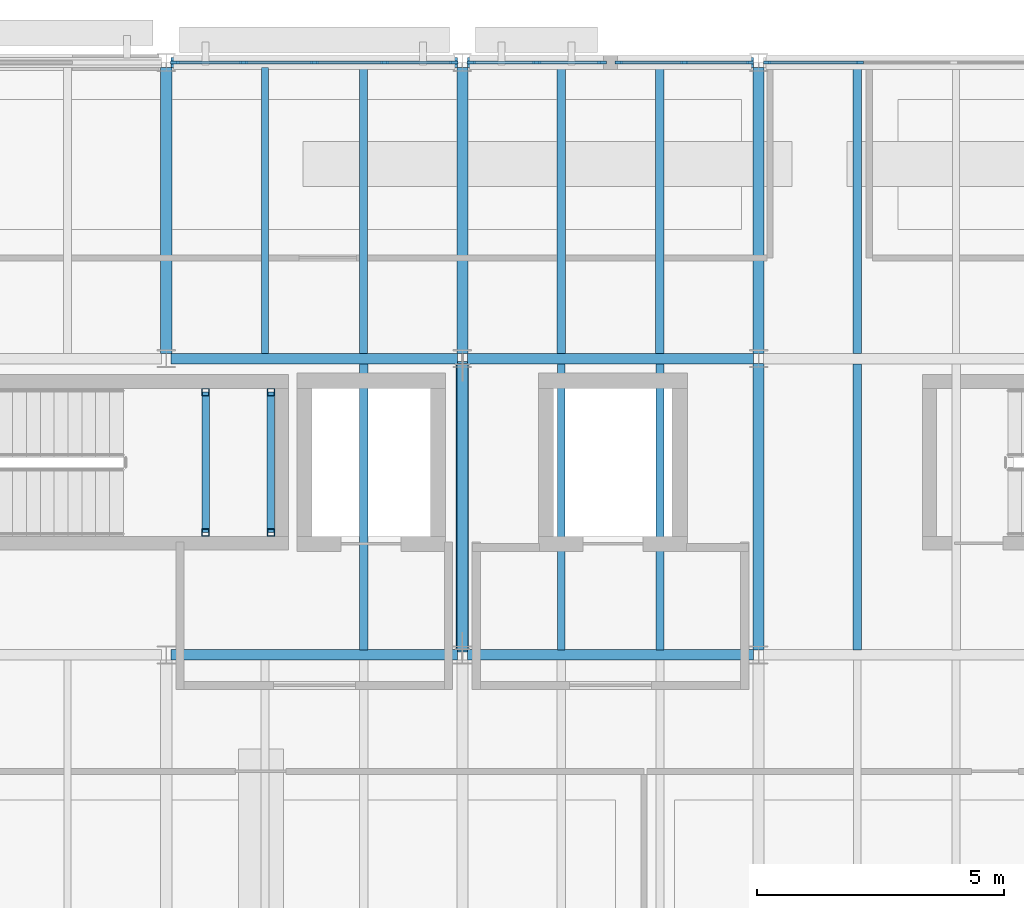
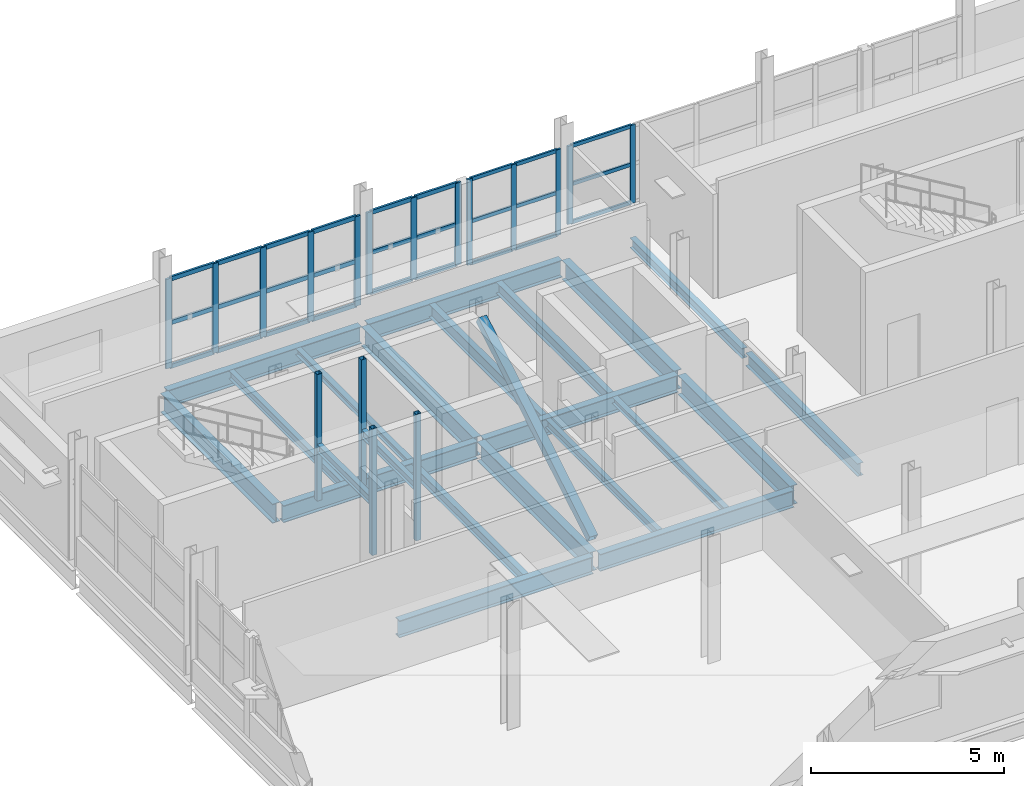
# One storey, part 42 of 92: 45 members, 22 beams, 4 elements without a shape of their own.
"""IFC4 building model written with IfcOpenShell, lengths in metres."""

from ifc_helpers import new_model, si_unit, direction, frame, origin, origin_2d, place, context, subcontext, project, spatial, rectangle, hollow_rectangle, i_section, extrude, material, material_profile, profile_set, type_object, element, aggregate, save


model = new_model("IFC4")

# Units and contexts
model_context = context("Model", 3, precision=1e-05, world=origin(), true_north=direction((0.0, 1.0)))
body_context = subcontext(model_context, "Body", "Model", "MODEL_VIEW")
ifc_project = project(units=[si_unit("LENGTHUNIT", "METRE"), si_unit("AREAUNIT", "SQUARE_METRE"), si_unit("VOLUMEUNIT", "CUBIC_METRE"), si_unit("PLANEANGLEUNIT", "RADIAN"), si_unit("MASSUNIT", "GRAM", prefix="KILO")], contexts=[model_context])

# Site, building, storey
site_placement = place(None, origin())
site = spatial("IfcSite", under=ifc_project, at=site_placement, CompositionType="ELEMENT")
building_placement = place(site_placement, origin())
building = spatial("IfcBuilding", under=site, at=building_placement, Name="Siltcreek Boulevard Central Fire Station", CompositionType="ELEMENT")
storey_placement = place(building_placement, frame((0.0, 0.0, 6.0)))
storey = spatial("IfcBuildingStorey", under=building, at=storey_placement, Name="L02", CompositionType="ELEMENT", Elevation=6.0)

# Beams
ifc_material_1 = material(Name="Structural steel ASTM A992 Gr50", Category="steel")
ifc_material_profile_1 = material_profile(ifc_material_1, i_section(OverallWidth=0.2109375, OverallDepth=0.5390625, WebThickness=0.01171875, FlangeThickness=0.018798828125, at=origin_2d()), Name="W530X109")
ifc_profile_set_1 = profile_set([ifc_material_profile_1], Name="Structural steel ASTM A992 Gr50")
beam_type_1 = type_object("IfcBeamType", Name="BM_W530X109", PredefinedType="BEAM", material=ifc_profile_set_1)
for number, where, z_axis, x_axis, name in (
    (1, (130.300048828125, 100.199951171875, -0.589599609375), (1.0, 0.0, 0.0), (0.0, 1.0, 0.0), "L02 primary steel girder GX-0184"),
    (2, (136.300048828125, 100.199951171875, -0.589599609375), (1.0, 0.0, 0.0), (0.0, 1.0, 0.0), "L02 primary steel girder GX-0185"),
    (3, (130.300048828125, 106.199951171875, -0.589599609375), (1.0, 0.0, 0.0), (0.0, 1.0, 0.0), "L02 primary steel girder GX-0191"),
    (4, (136.300048828125, 106.199951171875, -0.589599609375), (1.0, 0.0, 0.0), (0.0, 1.0, 0.0), "L02 primary steel girder GX-0192"),
    (5, (130.300048828125, 112.199951171875, -0.589599609375), (1.0, 0.0, 0.0), (0.0, 1.0, 0.0), "L02 primary steel girder GX-0198"),
    (6, (136.300048828125, 112.199951171875, -0.589599609375), (1.0, 0.0, 0.0), (0.0, 1.0, 0.0), "L02 primary steel girder GX-0199"),
):
    element("IfcBeam", number, at=place(storey_placement, frame(where, z_axis=z_axis, x_axis=x_axis)), inside=storey, type_object=beam_type_1, Name=name, PredefinedType="BEAM", context=body_context, shape_type="SweptSolid", body=[
        extrude(i_section(OverallWidth=0.2109375, OverallDepth=0.5390625, WebThickness=0.01171875, FlangeThickness=0.018798828125, at=origin_2d()), origin(), (0.0, 0.0, 1.0), 5.800048828125),
    ])
ifc_material_profile_2 = material_profile(ifc_material_1, i_section(OverallWidth=0.22802734375, OverallDepth=0.60791015625, WebThickness=0.01123046875, FlangeThickness=0.017333984375, at=origin_2d()), Name="W610X113")
ifc_profile_set_2 = profile_set([ifc_material_profile_2], Name="Structural steel ASTM A992 Gr50")
beam_type_2 = type_object("IfcBeamType", Name="BM_W610X113", PredefinedType="BEAM", material=ifc_profile_set_2)
for number, where, z_axis, x_axis, name in (
    (7, (130.199951171875, 106.300048828125, -0.6240234375), (0.0, 1.0, 0.0), (-1.0, 0.0, 0.0), "L02 primary steel girder GY-0210"),
    (8, (136.199951171875, 100.300048828125, -0.6240234375), (0.0, 1.0, 0.0), (-1.0, 0.0, 0.0), "L02 primary steel girder GY-0213"),
    (9, (136.199951171875, 106.300048828125, -0.6240234375), (0.0, 1.0, 0.0), (-1.0, 0.0, 0.0), "L02 primary steel girder GY-0214"),
    (10, (142.199951171875, 100.300048828125, -0.6240234375), (0.0, 1.0, 0.0), (-1.0, 0.0, 0.0), "L02 primary steel girder GY-0217"),
    (11, (142.199951171875, 106.300048828125, -0.6240234375), (0.0, 1.0, 0.0), (-1.0, 0.0, 0.0), "L02 primary steel girder GY-0218"),
):
    element("IfcBeam", number, at=place(storey_placement, frame(where, z_axis=z_axis, x_axis=x_axis)), inside=storey, type_object=beam_type_2, Name=name, PredefinedType="BEAM", context=body_context, shape_type="SweptSolid", body=[
        extrude(i_section(OverallWidth=0.22802734375, OverallDepth=0.60791015625, WebThickness=0.01123046875, FlangeThickness=0.017333984375, at=origin_2d()), origin(), (0.0, 0.0, 1.0), 5.800048828125),
    ])

# Members
ifc_material_2 = material(Name="Structural steel ASTM A500 GrC", Category="steel")
ifc_material_profile_3 = material_profile(ifc_material_2, hollow_rectangle(XDim=0.14990234375, YDim=0.14990234375, WallThickness=0.008056640625, at=origin_2d()), Name="HSS150X150X8.0")
ifc_profile_set_3 = profile_set([ifc_material_profile_3], Name="Structural steel ASTM A500 GrC")
member_type_1 = type_object("IfcMemberType", Name="BR_HSS150_8", PredefinedType="BRACE", material=ifc_profile_set_3)
for number, where, z_axis, x_axis, name in (
    (12, (131.0, 102.679931640625, 0.0), (0.0, 0.0, 1.0), (1.0, 0.0, 0.0), "L02 ST-V5A stair landing corner post SW"),
    (13, (131.0, 105.52001953125, 0.0), (0.0, 0.0, 1.0), (1.0, 0.0, 0.0), "L02 ST-V5A stair landing corner post NW"),
    (14, (132.320068359375, 102.679931640625, 0.0), (0.0, 0.0, 1.0), (1.0, 0.0, 0.0), "L02 ST-V5A stair landing corner post SE"),
    (15, (132.320068359375, 105.52001953125, 0.0), (0.0, 0.0, 1.0), (1.0, 0.0, 0.0), "L02 ST-V5A stair landing corner post NE"),
):
    element("IfcMember", number, at=place(storey_placement, frame(where, z_axis=z_axis, x_axis=x_axis)), inside=storey, type_object=member_type_1, Name=name, PredefinedType="BRACE", context=body_context, shape_type="SweptSolid", body=[
        extrude(hollow_rectangle(XDim=0.14990234375, YDim=0.14990234375, WallThickness=0.008056640625, at=origin_2d()), origin(), (0.0, 0.0, 1.0), 4.0),
    ])
ifc_material_profile_4 = material_profile(ifc_material_2, hollow_rectangle(XDim=0.25, YDim=0.25, WallThickness=0.009521484375, at=origin_2d()), Name="HSS250X250X9.5")
ifc_profile_set_4 = profile_set([ifc_material_profile_4], Name="Structural steel ASTM A500 GrC")
member_type_2 = type_object("IfcMemberType", Name="BR_HSS250_9", PredefinedType="BRACE", material=ifc_profile_set_4)
member_1_placement = place(storey_placement, frame((136.199951171875, 100.320068359375, 0.10009765625), z_axis=(0.0, 0.857890513261, 0.513832528415), x_axis=(-1.0, 0.0, 0.0)))
element("IfcMember", 16, at=member_1_placement, inside=storey, type_object=member_type_2, Name="L02 buckling-restrained brace BR-033", PredefinedType="BRACE", context=body_context, shape_type="SweptSolid", body=[
    extrude(hollow_rectangle(XDim=0.25, YDim=0.25, WallThickness=0.009521484375, at=origin_2d()), origin(), (0.0, 0.0, 1.0), 6.714111328125),
])

# Curtain wall, members
ifc_material_3 = material(Name="Anodized aluminum and low-E insulated glazing", Category="aluminium")
curtain_wall_type_1 = type_object("IfcCurtainWallType", Name="CW_SYS_14", PredefinedType="USERDEFINED", material=ifc_material_3)
curtain_wall_1_placement = place(storey_placement, origin())
curtain_wall_1 = element("IfcCurtainWall", 17, at=curtain_wall_1_placement, inside=storey, type_object=curtain_wall_type_1, Name="L02 V5 unitised curtain wall CW-133", ObjectType="CURTAIN WALL", PredefinedType="USERDEFINED")
ifc_material_4 = material(Name="Anodized 6063-T6 aluminum framing", Category="aluminium")
ifc_material_profile_5 = material_profile(ifc_material_4, rectangle(XDim=0.06005859375, YDim=0.14990234375, at=origin_2d()), Name="MULL60X150")
ifc_profile_set_5 = profile_set([ifc_material_profile_5], Name="Anodized 6063-T6 aluminum framing")
member_type_3 = type_object("IfcMemberType", Name="CWM_60X150", PredefinedType="MULLION", material=ifc_profile_set_5)
member_2_placement = place(storey_placement, frame((142.02490234375, 112.199951171875, 0.43994140625), z_axis=(0.0, 0.0, 1.0), x_axis=(0.0, -1.0, 0.0)))
member_2 = element("IfcMember", 18, at=member_2_placement, type_object=member_type_3, Name="CW-133 mullion 1", PredefinedType="MULLION", context=body_context, shape_type="SweptSolid", body=[
    extrude(rectangle(XDim=0.06005859375, YDim=0.14990234375, at=origin_2d()), origin(), (0.0, 0.0, 1.0), 2.713134765625),
])
member_3_placement = place(storey_placement, frame((140.697509765625, 112.199951171875, 0.43994140625), z_axis=(0.0, 0.0, 1.0), x_axis=(0.0, -1.0, 0.0)))
member_3 = element("IfcMember", 19, at=member_3_placement, type_object=member_type_3, Name="CW-133 mullion 2", PredefinedType="MULLION", context=body_context, shape_type="SweptSolid", body=[
    extrude(rectangle(XDim=0.06005859375, YDim=0.14990234375, at=origin_2d()), origin(), (0.0, 0.0, 1.0), 2.713134765625),
])
member_4_placement = place(storey_placement, frame((139.3701171875, 112.199951171875, 0.43994140625), z_axis=(0.0, 0.0, 1.0), x_axis=(0.0, -1.0, 0.0)))
member_4 = element("IfcMember", 20, at=member_4_placement, type_object=member_type_3, Name="CW-133 mullion 3", PredefinedType="MULLION", context=body_context, shape_type="SweptSolid", body=[
    extrude(rectangle(XDim=0.06005859375, YDim=0.14990234375, at=origin_2d()), origin(), (0.0, 0.0, 1.0), 2.713134765625),
])

curtain_wall_type_2 = type_object("IfcCurtainWallType", Name="CW_SYS_16", PredefinedType="USERDEFINED", material=ifc_material_3)
curtain_wall_2_placement = place(storey_placement, origin())
curtain_wall_2 = element("IfcCurtainWall", 21, at=curtain_wall_2_placement, inside=storey, type_object=curtain_wall_type_2, Name="L02 V5 unitised curtain wall CW-135", ObjectType="CURTAIN WALL", PredefinedType="USERDEFINED")
member_5_placement = place(storey_placement, frame((144.248291015625, 112.199951171875, 0.679931640625), z_axis=(0.0, 0.0, 1.0), x_axis=(0.0, -1.0, 0.0)))
member_5 = element("IfcMember", 22, at=member_5_placement, type_object=member_type_3, Name="CW-135 mullion 3", PredefinedType="MULLION", context=body_context, shape_type="SweptSolid", body=[
    extrude(rectangle(XDim=0.06005859375, YDim=0.14990234375, at=origin_2d()), origin(), (0.0, 0.0, 1.0), 2.47314453125),
])
member_6_placement = place(storey_placement, frame((142.375, 112.199951171875, 0.679931640625), z_axis=(0.0, 0.0, 1.0), x_axis=(0.0, -1.0, 0.0)))
member_6 = element("IfcMember", 23, at=member_6_placement, type_object=member_type_3, Name="CW-135 mullion 4", PredefinedType="MULLION", context=body_context, shape_type="SweptSolid", body=[
    extrude(rectangle(XDim=0.06005859375, YDim=0.14990234375, at=origin_2d()), origin(), (0.0, 0.0, 1.0), 2.47314453125),
])

curtain_wall_type_3 = type_object("IfcCurtainWallType", Name="CW_SYS_13", PredefinedType="USERDEFINED", material=ifc_material_3)
curtain_wall_3_placement = place(storey_placement, origin())
curtain_wall_3 = element("IfcCurtainWall", 24, at=curtain_wall_3_placement, inside=storey, type_object=curtain_wall_type_3, Name="L02 V5 unitised curtain wall CW-132", ObjectType="CURTAIN WALL", PredefinedType="USERDEFINED")
ifc_material_profile_6 = material_profile(ifc_material_4, rectangle(XDim=0.06494140625, YDim=0.175048828125, at=origin_2d()), Name="MULL65X175")
ifc_profile_set_6 = profile_set([ifc_material_profile_6], Name="Anodized 6063-T6 aluminum framing")
member_type_4 = type_object("IfcMemberType", Name="CWM_65X175", PredefinedType="MULLION", material=ifc_profile_set_6)
member_7_placement = place(storey_placement, frame((136.0224609375, 112.199951171875, 0.320068359375), z_axis=(0.0, 0.0, 1.0), x_axis=(0.0, -1.0, 0.0)))
member_7 = element("IfcMember", 25, at=member_7_placement, type_object=member_type_4, Name="CW-132 mullion 1", PredefinedType="MULLION", context=body_context, shape_type="SweptSolid", body=[
    extrude(rectangle(XDim=0.06494140625, YDim=0.175048828125, at=origin_2d()), origin(), (0.0, 0.0, 1.0), 2.8330078125),
])
member_8_placement = place(storey_placement, frame((134.62744140625, 112.199951171875, 0.320068359375), z_axis=(0.0, 0.0, 1.0), x_axis=(0.0, -1.0, 0.0)))
member_8 = element("IfcMember", 26, at=member_8_placement, type_object=member_type_4, Name="CW-132 mullion 2", PredefinedType="MULLION", context=body_context, shape_type="SweptSolid", body=[
    extrude(rectangle(XDim=0.06494140625, YDim=0.175048828125, at=origin_2d()), origin(), (0.0, 0.0, 1.0), 2.8330078125),
])
member_9_placement = place(storey_placement, frame((133.199951171875, 112.199951171875, 0.320068359375), z_axis=(0.0, 0.0, 1.0), x_axis=(0.0, -1.0, 0.0)))
member_9 = element("IfcMember", 27, at=member_9_placement, type_object=member_type_4, Name="CW-132 mullion 3", PredefinedType="MULLION", context=body_context, shape_type="SweptSolid", body=[
    extrude(rectangle(XDim=0.06494140625, YDim=0.175048828125, at=origin_2d()), origin(), (0.0, 0.0, 1.0), 2.8330078125),
])
member_10_placement = place(storey_placement, frame((131.7724609375, 112.199951171875, 0.320068359375), z_axis=(0.0, 0.0, 1.0), x_axis=(0.0, -1.0, 0.0)))
member_10 = element("IfcMember", 28, at=member_10_placement, type_object=member_type_4, Name="CW-132 mullion 4", PredefinedType="MULLION", context=body_context, shape_type="SweptSolid", body=[
    extrude(rectangle(XDim=0.06494140625, YDim=0.175048828125, at=origin_2d()), origin(), (0.0, 0.0, 1.0), 2.8330078125),
])
member_11_placement = place(storey_placement, frame((130.37744140625, 112.199951171875, 0.320068359375), z_axis=(0.0, 0.0, 1.0), x_axis=(0.0, -1.0, 0.0)))
member_11 = element("IfcMember", 29, at=member_11_placement, type_object=member_type_4, Name="CW-132 mullion 5", PredefinedType="MULLION", context=body_context, shape_type="SweptSolid", body=[
    extrude(rectangle(XDim=0.06494140625, YDim=0.175048828125, at=origin_2d()), origin(), (0.0, 0.0, 1.0), 2.8330078125),
])

curtain_wall_type_4 = type_object("IfcCurtainWallType", Name="CW_SYS_15", PredefinedType="USERDEFINED", material=ifc_material_3)
curtain_wall_4_placement = place(storey_placement, origin())
curtain_wall_4 = element("IfcCurtainWall", 30, at=curtain_wall_4_placement, inside=storey, type_object=curtain_wall_type_4, Name="L02 V5 unitised curtain wall CW-134", ObjectType="CURTAIN WALL", PredefinedType="USERDEFINED")
member_12_placement = place(storey_placement, frame((139.027587890625, 112.199951171875, 0.56005859375), z_axis=(0.0, 0.0, 1.0), x_axis=(0.0, -1.0, 0.0)))
member_12 = element("IfcMember", 31, at=member_12_placement, type_object=member_type_4, Name="CW-134 mullion 1", PredefinedType="MULLION", context=body_context, shape_type="SweptSolid", body=[
    extrude(rectangle(XDim=0.06494140625, YDim=0.175048828125, at=origin_2d()), origin(), (0.0, 0.0, 1.0), 2.593017578125),
])
member_13_placement = place(storey_placement, frame((137.702392578125, 112.199951171875, 0.56005859375), z_axis=(0.0, 0.0, 1.0), x_axis=(0.0, -1.0, 0.0)))
member_13 = element("IfcMember", 32, at=member_13_placement, type_object=member_type_4, Name="CW-134 mullion 2", PredefinedType="MULLION", context=body_context, shape_type="SweptSolid", body=[
    extrude(rectangle(XDim=0.06494140625, YDim=0.175048828125, at=origin_2d()), origin(), (0.0, 0.0, 1.0), 2.593017578125),
])
member_14_placement = place(storey_placement, frame((136.37744140625, 112.199951171875, 0.56005859375), z_axis=(0.0, 0.0, 1.0), x_axis=(0.0, -1.0, 0.0)))
member_14 = element("IfcMember", 33, at=member_14_placement, type_object=member_type_4, Name="CW-134 mullion 3", PredefinedType="MULLION", context=body_context, shape_type="SweptSolid", body=[
    extrude(rectangle(XDim=0.06494140625, YDim=0.175048828125, at=origin_2d()), origin(), (0.0, 0.0, 1.0), 2.593017578125),
])

# Member
ifc_material_profile_7 = material_profile(ifc_material_4, rectangle(XDim=0.06005859375, YDim=0.114990234375, at=origin_2d()), Name="TRAN60X115")
ifc_profile_set_7 = profile_set([ifc_material_profile_7], Name="Anodized 6063-T6 aluminum framing")
member_type_5 = type_object("IfcMemberType", Name="CWT_60X115", PredefinedType="USERDEFINED", material=ifc_profile_set_7)
member_15_placement = place(storey_placement, frame((141.9951171875, 112.199951171875, 0.469970703125), z_axis=(-1.0, 0.0, 0.0), x_axis=(0.0, -1.0, 0.0)))
member_15 = element("IfcMember", 34, at=member_15_placement, type_object=member_type_5, Name="CW-133 transom 1.1", ObjectType="TRANSOM", PredefinedType="USERDEFINED", context=body_context, shape_type="SweptSolid", body=[
    extrude(rectangle(XDim=0.06005859375, YDim=0.114990234375, at=origin_2d()), origin(), (0.0, 0.0, 1.0), 1.267578125),
])

member_16_placement = place(storey_placement, frame((141.9951171875, 112.199951171875, 1.79638671875), z_axis=(-1.0, 0.0, 0.0), x_axis=(0.0, -1.0, 0.0)))
member_16 = element("IfcMember", 35, at=member_16_placement, type_object=member_type_5, Name="CW-133 transom 1.2", ObjectType="TRANSOM", PredefinedType="USERDEFINED", context=body_context, shape_type="SweptSolid", body=[
    extrude(rectangle(XDim=0.06005859375, YDim=0.114990234375, at=origin_2d()), origin(), (0.0, 0.0, 1.0), 1.267578125),
])

member_17_placement = place(storey_placement, frame((141.9951171875, 112.199951171875, 3.123046875), z_axis=(-1.0, 0.0, 0.0), x_axis=(0.0, -1.0, 0.0)))
member_17 = element("IfcMember", 36, at=member_17_placement, type_object=member_type_5, Name="CW-133 transom 1.3", ObjectType="TRANSOM", PredefinedType="USERDEFINED", context=body_context, shape_type="SweptSolid", body=[
    extrude(rectangle(XDim=0.06005859375, YDim=0.114990234375, at=origin_2d()), origin(), (0.0, 0.0, 1.0), 1.267578125),
])

member_18_placement = place(storey_placement, frame((140.66748046875, 112.199951171875, 0.469970703125), z_axis=(-1.0, 0.0, 0.0), x_axis=(0.0, -1.0, 0.0)))
member_18 = element("IfcMember", 37, at=member_18_placement, type_object=member_type_5, Name="CW-133 transom 2.1", ObjectType="TRANSOM", PredefinedType="USERDEFINED", context=body_context, shape_type="SweptSolid", body=[
    extrude(rectangle(XDim=0.06005859375, YDim=0.114990234375, at=origin_2d()), origin(), (0.0, 0.0, 1.0), 1.267578125),
])

member_19_placement = place(storey_placement, frame((140.66748046875, 112.199951171875, 1.79638671875), z_axis=(-1.0, 0.0, 0.0), x_axis=(0.0, -1.0, 0.0)))
member_19 = element("IfcMember", 38, at=member_19_placement, type_object=member_type_5, Name="CW-133 transom 2.2", ObjectType="TRANSOM", PredefinedType="USERDEFINED", context=body_context, shape_type="SweptSolid", body=[
    extrude(rectangle(XDim=0.06005859375, YDim=0.114990234375, at=origin_2d()), origin(), (0.0, 0.0, 1.0), 1.267578125),
])

member_20_placement = place(storey_placement, frame((140.66748046875, 112.199951171875, 3.123046875), z_axis=(-1.0, 0.0, 0.0), x_axis=(0.0, -1.0, 0.0)))
member_20 = element("IfcMember", 39, at=member_20_placement, type_object=member_type_5, Name="CW-133 transom 2.3", ObjectType="TRANSOM", PredefinedType="USERDEFINED", context=body_context, shape_type="SweptSolid", body=[
    extrude(rectangle(XDim=0.06005859375, YDim=0.114990234375, at=origin_2d()), origin(), (0.0, 0.0, 1.0), 1.267578125),
])

aggregate(curtain_wall_1, [member_2, member_3, member_4, member_15, member_16, member_17, member_18, member_19, member_20])

member_21_placement = place(storey_placement, frame((144.21826171875, 112.199951171875, 0.7099609375), z_axis=(-1.0, 0.0, 0.0), x_axis=(0.0, -1.0, 0.0)))
member_21 = element("IfcMember", 40, at=member_21_placement, type_object=member_type_5, Name="CW-135 transom 3.1", ObjectType="TRANSOM", PredefinedType="USERDEFINED", context=body_context, shape_type="SweptSolid", body=[
    extrude(rectangle(XDim=0.06005859375, YDim=0.114990234375, at=origin_2d()), origin(), (0.0, 0.0, 1.0), 1.813232421875),
])

member_22_placement = place(storey_placement, frame((144.21826171875, 112.199951171875, 1.91650390625), z_axis=(-1.0, 0.0, 0.0), x_axis=(0.0, -1.0, 0.0)))
member_22 = element("IfcMember", 41, at=member_22_placement, type_object=member_type_5, Name="CW-135 transom 3.2", ObjectType="TRANSOM", PredefinedType="USERDEFINED", context=body_context, shape_type="SweptSolid", body=[
    extrude(rectangle(XDim=0.06005859375, YDim=0.114990234375, at=origin_2d()), origin(), (0.0, 0.0, 1.0), 1.813232421875),
])

member_23_placement = place(storey_placement, frame((144.21826171875, 112.199951171875, 3.123046875), z_axis=(-1.0, 0.0, 0.0), x_axis=(0.0, -1.0, 0.0)))
member_23 = element("IfcMember", 42, at=member_23_placement, type_object=member_type_5, Name="CW-135 transom 3.3", ObjectType="TRANSOM", PredefinedType="USERDEFINED", context=body_context, shape_type="SweptSolid", body=[
    extrude(rectangle(XDim=0.06005859375, YDim=0.114990234375, at=origin_2d()), origin(), (0.0, 0.0, 1.0), 1.813232421875),
])

aggregate(curtain_wall_2, [member_5, member_6, member_21, member_22, member_23])

ifc_material_profile_8 = material_profile(ifc_material_4, rectangle(XDim=0.06494140625, YDim=0.135009765625, at=origin_2d()), Name="TRAN65X135")
ifc_profile_set_8 = profile_set([ifc_material_profile_8], Name="Anodized 6063-T6 aluminum framing")
member_type_6 = type_object("IfcMemberType", Name="CWT_65X135", PredefinedType="USERDEFINED", material=ifc_profile_set_8)
member_24_placement = place(storey_placement, frame((135.989990234375, 112.199951171875, 0.3525390625), z_axis=(-1.0, 0.0, 0.0), x_axis=(0.0, -1.0, 0.0)))
member_24 = element("IfcMember", 43, at=member_24_placement, type_object=member_type_6, Name="CW-132 transom 1.1", ObjectType="TRANSOM", PredefinedType="USERDEFINED", context=body_context, shape_type="SweptSolid", body=[
    extrude(rectangle(XDim=0.06494140625, YDim=0.135009765625, at=origin_2d()), origin(), (0.0, 0.0, 1.0), 1.330078125),
])

member_25_placement = place(storey_placement, frame((135.989990234375, 112.199951171875, 1.736572265625), z_axis=(-1.0, 0.0, 0.0), x_axis=(0.0, -1.0, 0.0)))
member_25 = element("IfcMember", 44, at=member_25_placement, type_object=member_type_6, Name="CW-132 transom 1.2", ObjectType="TRANSOM", PredefinedType="USERDEFINED", context=body_context, shape_type="SweptSolid", body=[
    extrude(rectangle(XDim=0.06494140625, YDim=0.135009765625, at=origin_2d()), origin(), (0.0, 0.0, 1.0), 1.330078125),
])

member_26_placement = place(storey_placement, frame((135.989990234375, 112.199951171875, 3.12060546875), z_axis=(-1.0, 0.0, 0.0), x_axis=(0.0, -1.0, 0.0)))
member_26 = element("IfcMember", 45, at=member_26_placement, type_object=member_type_6, Name="CW-132 transom 1.3", ObjectType="TRANSOM", PredefinedType="USERDEFINED", context=body_context, shape_type="SweptSolid", body=[
    extrude(rectangle(XDim=0.06494140625, YDim=0.135009765625, at=origin_2d()), origin(), (0.0, 0.0, 1.0), 1.330078125),
])

member_27_placement = place(storey_placement, frame((134.594970703125, 112.199951171875, 0.3525390625), z_axis=(-1.0, 0.0, 0.0), x_axis=(0.0, -1.0, 0.0)))
member_27 = element("IfcMember", 46, at=member_27_placement, type_object=member_type_6, Name="CW-132 transom 2.1", ObjectType="TRANSOM", PredefinedType="USERDEFINED", context=body_context, shape_type="SweptSolid", body=[
    extrude(rectangle(XDim=0.06494140625, YDim=0.135009765625, at=origin_2d()), origin(), (0.0, 0.0, 1.0), 1.362548828125),
])

member_28_placement = place(storey_placement, frame((134.594970703125, 112.199951171875, 1.736572265625), z_axis=(-1.0, 0.0, 0.0), x_axis=(0.0, -1.0, 0.0)))
member_28 = element("IfcMember", 47, at=member_28_placement, type_object=member_type_6, Name="CW-132 transom 2.2", ObjectType="TRANSOM", PredefinedType="USERDEFINED", context=body_context, shape_type="SweptSolid", body=[
    extrude(rectangle(XDim=0.06494140625, YDim=0.135009765625, at=origin_2d()), origin(), (0.0, 0.0, 1.0), 1.362548828125),
])

member_29_placement = place(storey_placement, frame((134.594970703125, 112.199951171875, 3.12060546875), z_axis=(-1.0, 0.0, 0.0), x_axis=(0.0, -1.0, 0.0)))
member_29 = element("IfcMember", 48, at=member_29_placement, type_object=member_type_6, Name="CW-132 transom 2.3", ObjectType="TRANSOM", PredefinedType="USERDEFINED", context=body_context, shape_type="SweptSolid", body=[
    extrude(rectangle(XDim=0.06494140625, YDim=0.135009765625, at=origin_2d()), origin(), (0.0, 0.0, 1.0), 1.362548828125),
])

member_30_placement = place(storey_placement, frame((133.16748046875, 112.199951171875, 0.3525390625), z_axis=(-1.0, 0.0, 0.0), x_axis=(0.0, -1.0, 0.0)))
member_30 = element("IfcMember", 49, at=member_30_placement, type_object=member_type_6, Name="CW-132 transom 3.1", ObjectType="TRANSOM", PredefinedType="USERDEFINED", context=body_context, shape_type="SweptSolid", body=[
    extrude(rectangle(XDim=0.06494140625, YDim=0.135009765625, at=origin_2d()), origin(), (0.0, 0.0, 1.0), 1.362548828125),
])

member_31_placement = place(storey_placement, frame((133.16748046875, 112.199951171875, 1.736572265625), z_axis=(-1.0, 0.0, 0.0), x_axis=(0.0, -1.0, 0.0)))
member_31 = element("IfcMember", 50, at=member_31_placement, type_object=member_type_6, Name="CW-132 transom 3.2", ObjectType="TRANSOM", PredefinedType="USERDEFINED", context=body_context, shape_type="SweptSolid", body=[
    extrude(rectangle(XDim=0.06494140625, YDim=0.135009765625, at=origin_2d()), origin(), (0.0, 0.0, 1.0), 1.362548828125),
])

member_32_placement = place(storey_placement, frame((133.16748046875, 112.199951171875, 3.12060546875), z_axis=(-1.0, 0.0, 0.0), x_axis=(0.0, -1.0, 0.0)))
member_32 = element("IfcMember", 51, at=member_32_placement, type_object=member_type_6, Name="CW-132 transom 3.3", ObjectType="TRANSOM", PredefinedType="USERDEFINED", context=body_context, shape_type="SweptSolid", body=[
    extrude(rectangle(XDim=0.06494140625, YDim=0.135009765625, at=origin_2d()), origin(), (0.0, 0.0, 1.0), 1.362548828125),
])

member_33_placement = place(storey_placement, frame((131.739990234375, 112.199951171875, 0.3525390625), z_axis=(-1.0, 0.0, 0.0), x_axis=(0.0, -1.0, 0.0)))
member_33 = element("IfcMember", 52, at=member_33_placement, type_object=member_type_6, Name="CW-132 transom 4.1", ObjectType="TRANSOM", PredefinedType="USERDEFINED", context=body_context, shape_type="SweptSolid", body=[
    extrude(rectangle(XDim=0.06494140625, YDim=0.135009765625, at=origin_2d()), origin(), (0.0, 0.0, 1.0), 1.330078125),
])

member_34_placement = place(storey_placement, frame((131.739990234375, 112.199951171875, 1.736572265625), z_axis=(-1.0, 0.0, 0.0), x_axis=(0.0, -1.0, 0.0)))
member_34 = element("IfcMember", 53, at=member_34_placement, type_object=member_type_6, Name="CW-132 transom 4.2", ObjectType="TRANSOM", PredefinedType="USERDEFINED", context=body_context, shape_type="SweptSolid", body=[
    extrude(rectangle(XDim=0.06494140625, YDim=0.135009765625, at=origin_2d()), origin(), (0.0, 0.0, 1.0), 1.330078125),
])

member_35_placement = place(storey_placement, frame((131.739990234375, 112.199951171875, 3.12060546875), z_axis=(-1.0, 0.0, 0.0), x_axis=(0.0, -1.0, 0.0)))
member_35 = element("IfcMember", 54, at=member_35_placement, type_object=member_type_6, Name="CW-132 transom 4.3", ObjectType="TRANSOM", PredefinedType="USERDEFINED", context=body_context, shape_type="SweptSolid", body=[
    extrude(rectangle(XDim=0.06494140625, YDim=0.135009765625, at=origin_2d()), origin(), (0.0, 0.0, 1.0), 1.330078125),
])

aggregate(curtain_wall_3, [member_7, member_8, member_9, member_10, member_11, member_24, member_25, member_26, member_27, member_28, member_29, member_30, member_31, member_32, member_33, member_34, member_35])

member_36_placement = place(storey_placement, frame((138.9951171875, 112.199951171875, 0.592529296875), z_axis=(-1.0, 0.0, 0.0), x_axis=(0.0, -1.0, 0.0)))
member_36 = element("IfcMember", 55, at=member_36_placement, type_object=member_type_6, Name="CW-134 transom 1.1", ObjectType="TRANSOM", PredefinedType="USERDEFINED", context=body_context, shape_type="SweptSolid", body=[
    extrude(rectangle(XDim=0.06494140625, YDim=0.135009765625, at=origin_2d()), origin(), (0.0, 0.0, 1.0), 1.260009765625),
])

member_37_placement = place(storey_placement, frame((138.9951171875, 112.199951171875, 1.8564453125), z_axis=(-1.0, 0.0, 0.0), x_axis=(0.0, -1.0, 0.0)))
member_37 = element("IfcMember", 56, at=member_37_placement, type_object=member_type_6, Name="CW-134 transom 1.2", ObjectType="TRANSOM", PredefinedType="USERDEFINED", context=body_context, shape_type="SweptSolid", body=[
    extrude(rectangle(XDim=0.06494140625, YDim=0.135009765625, at=origin_2d()), origin(), (0.0, 0.0, 1.0), 1.260009765625),
])

member_38_placement = place(storey_placement, frame((138.9951171875, 112.199951171875, 3.12060546875), z_axis=(-1.0, 0.0, 0.0), x_axis=(0.0, -1.0, 0.0)))
member_38 = element("IfcMember", 57, at=member_38_placement, type_object=member_type_6, Name="CW-134 transom 1.3", ObjectType="TRANSOM", PredefinedType="USERDEFINED", context=body_context, shape_type="SweptSolid", body=[
    extrude(rectangle(XDim=0.06494140625, YDim=0.135009765625, at=origin_2d()), origin(), (0.0, 0.0, 1.0), 1.260009765625),
])

member_39_placement = place(storey_placement, frame((137.669921875, 112.199951171875, 0.592529296875), z_axis=(-1.0, 0.0, 0.0), x_axis=(0.0, -1.0, 0.0)))
member_39 = element("IfcMember", 58, at=member_39_placement, type_object=member_type_6, Name="CW-134 transom 2.1", ObjectType="TRANSOM", PredefinedType="USERDEFINED", context=body_context, shape_type="SweptSolid", body=[
    extrude(rectangle(XDim=0.06494140625, YDim=0.135009765625, at=origin_2d()), origin(), (0.0, 0.0, 1.0), 1.260009765625),
])

member_40_placement = place(storey_placement, frame((137.669921875, 112.199951171875, 1.8564453125), z_axis=(-1.0, 0.0, 0.0), x_axis=(0.0, -1.0, 0.0)))
member_40 = element("IfcMember", 59, at=member_40_placement, type_object=member_type_6, Name="CW-134 transom 2.2", ObjectType="TRANSOM", PredefinedType="USERDEFINED", context=body_context, shape_type="SweptSolid", body=[
    extrude(rectangle(XDim=0.06494140625, YDim=0.135009765625, at=origin_2d()), origin(), (0.0, 0.0, 1.0), 1.260009765625),
])

member_41_placement = place(storey_placement, frame((137.669921875, 112.199951171875, 3.12060546875), z_axis=(-1.0, 0.0, 0.0), x_axis=(0.0, -1.0, 0.0)))
member_41 = element("IfcMember", 60, at=member_41_placement, type_object=member_type_6, Name="CW-134 transom 2.3", ObjectType="TRANSOM", PredefinedType="USERDEFINED", context=body_context, shape_type="SweptSolid", body=[
    extrude(rectangle(XDim=0.06494140625, YDim=0.135009765625, at=origin_2d()), origin(), (0.0, 0.0, 1.0), 1.260009765625),
])

aggregate(curtain_wall_4, [member_12, member_13, member_14, member_36, member_37, member_38, member_39, member_40, member_41])

# Beams
ifc_material_profile_9 = material_profile(ifc_material_1, i_section(OverallWidth=0.1650390625, OverallDepth=0.200927734375, WebThickness=0.006103515625, FlangeThickness=0.01025390625, at=origin_2d()), Name="W200X36")
ifc_profile_set_9 = profile_set([ifc_material_profile_9], Name="Structural steel ASTM A992 Gr50")
beam_type_3 = type_object("IfcBeamType", Name="JST_W200X36", PredefinedType="JOIST", material=ifc_profile_set_9)
for number, where, z_axis, x_axis, name in (
    (61, (140.199951171875, 100.303466796875, -0.42041015625), (0.0, 1.0, 0.0), (-1.0, 0.0, 0.0), "L02 secondary steel floor joist 0172"),
    (62, (134.199951171875, 106.303466796875, -0.42041015625), (0.0, 1.0, 0.0), (-1.0, 0.0, 0.0), "L02 secondary steel floor joist 0182"),
):
    element("IfcBeam", number, at=place(storey_placement, frame(where, z_axis=z_axis, x_axis=x_axis)), inside=storey, type_object=beam_type_3, Name=name, PredefinedType="JOIST", context=body_context, shape_type="SweptSolid", body=[
        extrude(i_section(OverallWidth=0.1650390625, OverallDepth=0.200927734375, WebThickness=0.006103515625, FlangeThickness=0.01025390625, at=origin_2d()), origin(), (0.0, 0.0, 1.0), 5.79296875),
    ])
ifc_material_profile_10 = material_profile(ifc_material_1, i_section(OverallWidth=0.14697265625, OverallDepth=0.261962890625, WebThickness=0.006591796875, FlangeThickness=0.01123046875, at=origin_2d()), Name="W250X39")
ifc_profile_set_10 = profile_set([ifc_material_profile_10], Name="Structural steel ASTM A992 Gr50")
beam_type_4 = type_object("IfcBeamType", Name="JST_W250X39", PredefinedType="JOIST", material=ifc_profile_set_10)
for number, where, z_axis, x_axis, name in (
    (63, (138.199951171875, 100.303466796875, -0.450927734375), (0.0, 1.0, 0.0), (-1.0, 0.0, 0.0), "L02 secondary steel floor joist 0171"),
    (64, (132.199951171875, 106.303466796875, -0.450927734375), (0.0, 1.0, 0.0), (-1.0, 0.0, 0.0), "L02 secondary steel floor joist 0181"),
):
    element("IfcBeam", number, at=place(storey_placement, frame(where, z_axis=z_axis, x_axis=x_axis)), inside=storey, type_object=beam_type_4, Name=name, PredefinedType="JOIST", context=body_context, shape_type="SweptSolid", body=[
        extrude(i_section(OverallWidth=0.14697265625, OverallDepth=0.261962890625, WebThickness=0.006591796875, FlangeThickness=0.01123046875, at=origin_2d()), origin(), (0.0, 0.0, 1.0), 5.79296875),
    ])
for number, where, z_axis, x_axis, name in (
    (65, (131.0, 102.679931640625, 1.6689453125), (0.0, 1.0, 0.0), (-1.0, 0.0, 0.0), "L02 ST-V5A stair landing bearer MIDW"),
    (66, (132.320068359375, 102.679931640625, 1.6689453125), (0.0, 1.0, 0.0), (-1.0, 0.0, 0.0), "L02 ST-V5A stair landing bearer MIDE"),
):
    element("IfcBeam", number, at=place(storey_placement, frame(where, z_axis=z_axis, x_axis=x_axis)), inside=storey, type_object=beam_type_4, Name=name, PredefinedType="JOIST", context=body_context, shape_type="SweptSolid", body=[
        extrude(i_section(OverallWidth=0.14697265625, OverallDepth=0.261962890625, WebThickness=0.006591796875, FlangeThickness=0.01123046875, at=origin_2d()), origin(), (0.0, 0.0, 1.0), 2.840087890625),
    ])
ifc_material_profile_11 = material_profile(ifc_material_1, i_section(OverallWidth=0.166015625, OverallDepth=0.31298828125, WebThickness=0.006591796875, FlangeThickness=0.01123046875, at=origin_2d()), Name="W310X45")
ifc_profile_set_11 = profile_set([ifc_material_profile_11], Name="Structural steel ASTM A992 Gr50")
beam_type_5 = type_object("IfcBeamType", Name="JST_W310X45", PredefinedType="JOIST", material=ifc_profile_set_11)
for number, where, z_axis, x_axis, name in (
    (67, (134.199951171875, 100.303466796875, -0.4765625), (0.0, 1.0, 0.0), (-1.0, 0.0, 0.0), "L02 secondary steel floor joist 0170"),
    (68, (144.199951171875, 106.303466796875, -0.4765625), (0.0, 1.0, 0.0), (-1.0, 0.0, 0.0), "L02 secondary steel floor joist 0185"),
):
    element("IfcBeam", number, at=place(storey_placement, frame(where, z_axis=z_axis, x_axis=x_axis)), inside=storey, type_object=beam_type_5, Name=name, PredefinedType="JOIST", context=body_context, shape_type="SweptSolid", body=[
        extrude(i_section(OverallWidth=0.166015625, OverallDepth=0.31298828125, WebThickness=0.006591796875, FlangeThickness=0.01123046875, at=origin_2d()), origin(), (0.0, 0.0, 1.0), 5.79296875),
    ])
ifc_material_profile_12 = material_profile(ifc_material_1, i_section(OverallWidth=0.172119140625, OverallDepth=0.35791015625, WebThickness=0.0078125, FlangeThickness=0.01318359375, at=origin_2d()), Name="W360X57")
ifc_profile_set_12 = profile_set([ifc_material_profile_12], Name="Structural steel ASTM A992 Gr50")
beam_type_6 = type_object("IfcBeamType", Name="JST_W360X57", PredefinedType="JOIST", material=ifc_profile_set_12)
beam_placement = place(storey_placement, frame((140.199951171875, 106.303466796875, -0.4990234375), z_axis=(0.0, 1.0, 0.0), x_axis=(-1.0, 0.0, 0.0)))
element("IfcBeam", 69, at=beam_placement, inside=storey, type_object=beam_type_6, Name="L02 secondary steel floor joist 0184", PredefinedType="JOIST", context=body_context, shape_type="SweptSolid", body=[
    extrude(i_section(OverallWidth=0.172119140625, OverallDepth=0.35791015625, WebThickness=0.0078125, FlangeThickness=0.01318359375, at=origin_2d()), origin(), (0.0, 0.0, 1.0), 5.79296875),
])
ifc_material_profile_13 = material_profile(ifc_material_1, i_section(OverallWidth=0.177001953125, OverallDepth=0.403076171875, WebThickness=0.007568359375, FlangeThickness=0.010986328125, at=origin_2d()), Name="W410X53")
ifc_profile_set_13 = profile_set([ifc_material_profile_13], Name="Structural steel ASTM A992 Gr50")
beam_type_7 = type_object("IfcBeamType", Name="JST_W410X53", PredefinedType="JOIST", material=ifc_profile_set_13)
for number, where, z_axis, x_axis, name in (
    (70, (144.199951171875, 100.303466796875, -0.521484375), (0.0, 1.0, 0.0), (-1.0, 0.0, 0.0), "L02 secondary steel floor joist 0173"),
    (71, (138.199951171875, 106.303466796875, -0.521484375), (0.0, 1.0, 0.0), (-1.0, 0.0, 0.0), "L02 secondary steel floor joist 0183"),
):
    element("IfcBeam", number, at=place(storey_placement, frame(where, z_axis=z_axis, x_axis=x_axis)), inside=storey, type_object=beam_type_7, Name=name, PredefinedType="JOIST", context=body_context, shape_type="SweptSolid", body=[
        extrude(i_section(OverallWidth=0.177001953125, OverallDepth=0.403076171875, WebThickness=0.007568359375, FlangeThickness=0.010986328125, at=origin_2d()), origin(), (0.0, 0.0, 1.0), 5.79296875),
    ])

save(model, "model.ifc")
